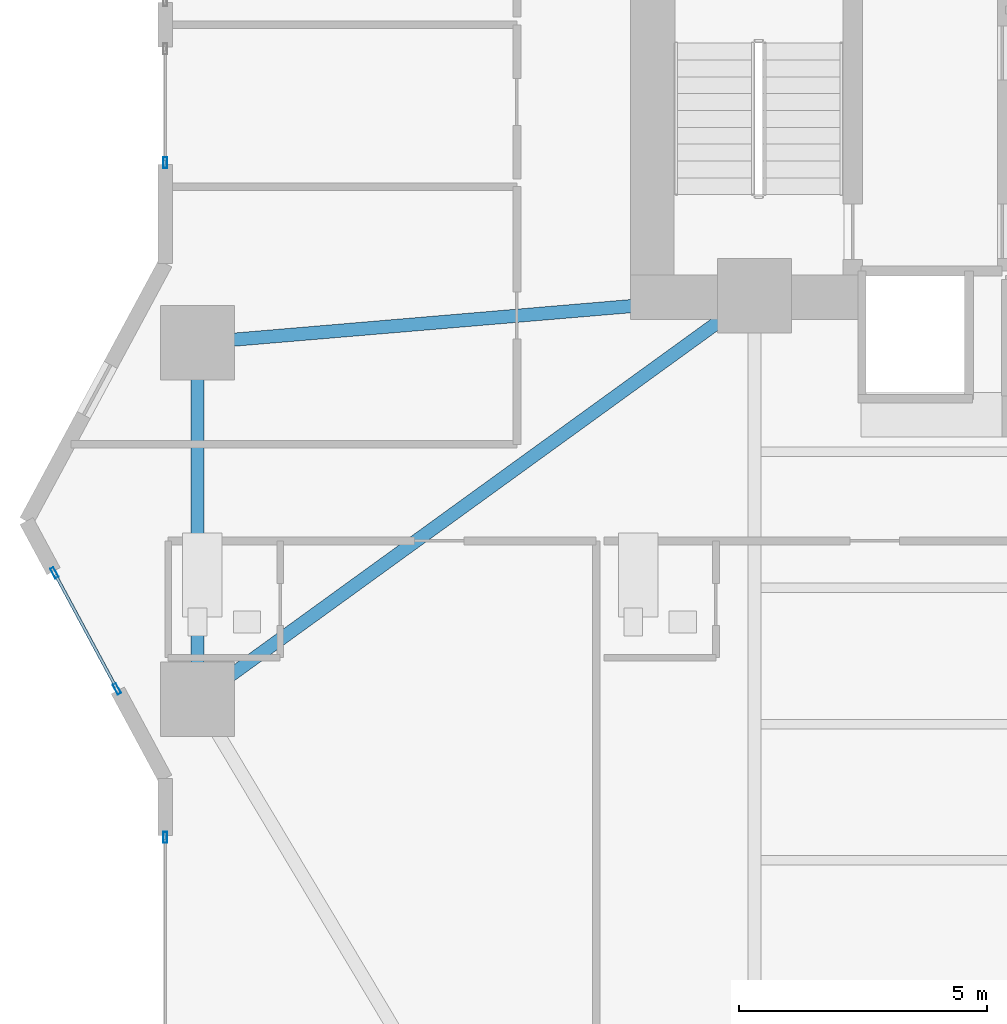
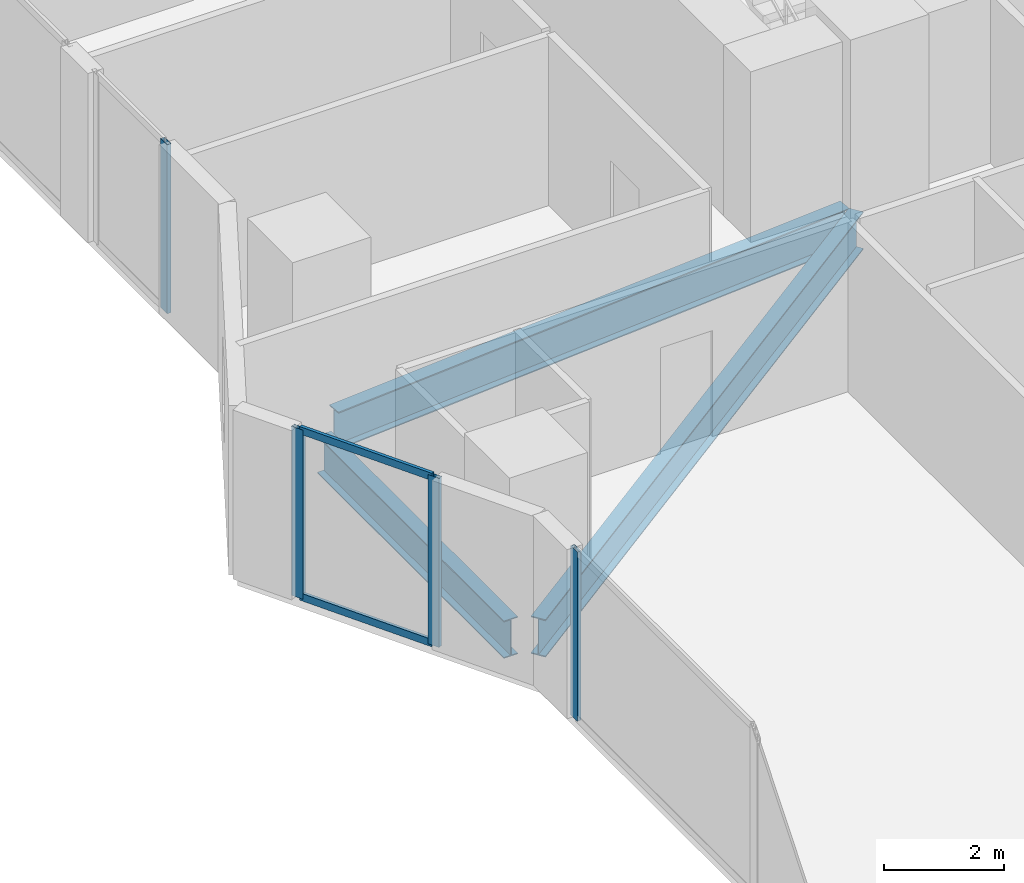
# One storey, part 6 of 29: 6 members, 3 beams, 3 elements without a shape of their own.
"""IFC4 building model written with IfcOpenShell, lengths in metres."""

from ifc_helpers import new_model, si_unit, direction, frame, origin, origin_2d, place, context, subcontext, project, spatial, hollow_rectangle, i_section, extrude, material, layer, layer_set, material_profile, profile_set, type_object, element, aggregate, save


model = new_model("IFC4")

# Units and contexts
model_context = context("Model", 3, precision=1e-05, world=origin(), true_north=direction((0.0, 1.0)))
body_context = subcontext(model_context, "Body", "Model", "MODEL_VIEW")
ifc_project = project(units=[si_unit("LENGTHUNIT", "METRE"), si_unit("AREAUNIT", "SQUARE_METRE"), si_unit("VOLUMEUNIT", "CUBIC_METRE"), si_unit("PLANEANGLEUNIT", "RADIAN"), si_unit("MASSUNIT", "GRAM", prefix="KILO")], contexts=[model_context])

# Site, building, storey
site_placement = place(None, origin())
site = spatial("IfcSite", under=ifc_project, at=site_placement, CompositionType="ELEMENT")
building_placement = place(site_placement, origin())
building = spatial("IfcBuilding", under=site, at=building_placement, Name="Zuhayl Quay Hotel", CompositionType="ELEMENT")
storey_placement = place(building_placement, frame((0.0, 0.0, 45.85009765625)))
storey = spatial("IfcBuildingStorey", under=building, at=storey_placement, Name="L10", CompositionType="ELEMENT", Elevation=45.85009765625)

# Beams
ifc_material_1 = material(Name="Steel ASTM A992 Grade 50", Category="steel")
ifc_material_profile_1 = material_profile(ifc_material_1, i_section(OverallWidth=0.26708984375, OverallDepth=0.761962890625, WebThickness=0.014404296875, FlangeThickness=0.021484375, at=origin_2d()), Name="W30X116")
ifc_profile_set_1 = profile_set([ifc_material_profile_1], Name="Steel ASTM A992 Grade 50")
beam_type = type_object("IfcBeamType", Name="BM_B1_W30X116", PredefinedType="BEAM", material=ifc_profile_set_1)
beam_1_placement = place(storey_placement, frame((-25.050048828125, 3.10009765625, -0.60107421875), z_axis=(0.0, -1.0, 0.0), x_axis=(1.0, 0.0, 0.0)))
element("IfcBeam", 1, at=beam_1_placement, inside=storey, type_object=beam_type, Name="L10 Floor Beam RG_L10_11", PredefinedType="BEAM", context=body_context, shape_type="SweptSolid", body=[
    extrude(i_section(OverallWidth=0.26708984375, OverallDepth=0.761962890625, WebThickness=0.014404296875, FlangeThickness=0.021484375, at=origin_2d()), origin(), (0.0, 0.0, 1.0), 6.2001953125),
])
beam_2_placement = place(storey_placement, frame((-24.64501953125, -3.306640625, -0.60107421875), z_axis=(0.809830244688, 0.586664277751, 0.0), x_axis=(-0.586664277751, 0.809830244688, 0.0)))
element("IfcBeam", 2, at=beam_2_placement, inside=storey, type_object=beam_type, Name="L10 Floor Beam FG_W_L10_1", PredefinedType="BEAM", context=body_context, shape_type="SweptSolid", body=[
    extrude(i_section(OverallWidth=0.26708984375, OverallDepth=0.761962890625, WebThickness=0.014404296875, FlangeThickness=0.021484375, at=origin_2d()), origin(), (0.0, 0.0, 1.0), 12.94189453125),
])
beam_3_placement = place(storey_placement, frame((-24.5517578125, 3.64208984375, -0.60107421875), z_axis=(0.996453145398, 0.084149444594, 0.0), x_axis=(-0.084149444594, 0.996453145398, 0.0)))
element("IfcBeam", 3, at=beam_3_placement, inside=storey, type_object=beam_type, Name="L10 Floor Beam FG_W_L10_2", PredefinedType="BEAM", context=body_context, shape_type="SweptSolid", body=[
    extrude(i_section(OverallWidth=0.26708984375, OverallDepth=0.761962890625, WebThickness=0.014404296875, FlangeThickness=0.021484375, at=origin_2d()), origin(), (0.0, 0.0, 1.0), 10.340087890625),
])

# Curtain wall, member
ifc_material_2 = material(Name="Anodised Aluminium 6063-T6", Category="aluminium")
ifc_layer = layer(ifc_material_2, 0.18994140625, Name="Anodised Aluminium 6063-T6", Category="aluminium")
ifc_layer_set = layer_set([ifc_layer], Name="Anodised Aluminium 6063-T6")
curtain_wall_type = type_object("IfcCurtainWallType", Name="CW_SYS_Z1", PredefinedType="USERDEFINED", material=ifc_layer_set)
curtain_wall_1_placement = place(storey_placement, origin())
curtain_wall_1 = element("IfcCurtainWall", 4, at=curtain_wall_1_placement, inside=storey, type_object=curtain_wall_type, Name="L10 Curtain Wall ENV_L10_E02_CW1", ObjectType="UNITISED CURTAIN WALL", PredefinedType="USERDEFINED")
ifc_material_3 = material(Name="Black-anodised aluminium 6063-T6", Category="aluminium")
ifc_material_profile_2 = material_profile(ifc_material_3, hollow_rectangle(XDim=0.074951171875, YDim=0.219970703125, WallThickness=0.00390625, at=origin_2d()), Name="ALU220X75")
ifc_profile_set_2 = profile_set([ifc_material_profile_2], Name="Black-anodised aluminium 6063-T6")
member_type_1 = type_object("IfcMemberType", Name="MB_CW_MUL_220", PredefinedType="MULLION", material=ifc_profile_set_2)
member_1_placement = place(storey_placement, frame((-25.699951171875, -6.387451171875, 0.0), z_axis=(0.0, 0.0, 1.0), x_axis=(-1.0, 0.0, 0.0)))
member_1 = element("IfcMember", 5, at=member_1_placement, type_object=member_type_1, Name="CW-Z1 mullion 3", PredefinedType="MULLION", context=body_context, shape_type="SweptSolid", body=[
    extrude(hollow_rectangle(XDim=0.074951171875, YDim=0.219970703125, WallThickness=0.00390625, at=origin_2d()), origin(), (0.0, 0.0, 1.0), 3.429931640625),
])
aggregate(curtain_wall_1, [member_1])

# Curtain wall, members
curtain_wall_2_placement = place(storey_placement, origin())
curtain_wall_2 = element("IfcCurtainWall", 6, at=curtain_wall_2_placement, inside=storey, type_object=curtain_wall_type, Name="L10 Curtain Wall ENV_L10_E03_CW1", ObjectType="UNITISED CURTAIN WALL", PredefinedType="USERDEFINED")
member_2_placement = place(storey_placement, frame((-26.67578125, -3.387939453125, 0.0), z_axis=(0.0, 0.0, 1.0), x_axis=(-0.880475795468, -0.474091102632, 0.0)))
member_2 = element("IfcMember", 7, at=member_2_placement, type_object=member_type_1, Name="CW-Z1 mullion 1", PredefinedType="MULLION", context=body_context, shape_type="SweptSolid", body=[
    extrude(hollow_rectangle(XDim=0.074951171875, YDim=0.219970703125, WallThickness=0.00390625, at=origin_2d()), origin(), (0.0, 0.0, 1.0), 3.429931640625),
])
member_3_placement = place(storey_placement, frame((-27.93701171875, -1.04541015625, 0.0), z_axis=(0.0, 0.0, 1.0), x_axis=(-0.880475795468, -0.474091102632, 0.0)))
member_3 = element("IfcMember", 8, at=member_3_placement, type_object=member_type_1, Name="CW-Z1 mullion 2", PredefinedType="MULLION", context=body_context, shape_type="SweptSolid", body=[
    extrude(hollow_rectangle(XDim=0.074951171875, YDim=0.219970703125, WallThickness=0.00390625, at=origin_2d()), origin(), (0.0, 0.0, 1.0), 3.429931640625),
])

# Curtain wall, member
curtain_wall_3_placement = place(storey_placement, origin())
curtain_wall_3 = element("IfcCurtainWall", 9, at=curtain_wall_3_placement, inside=storey, type_object=curtain_wall_type, Name="L10 Curtain Wall ENV_L10_E05_CW1", ObjectType="UNITISED CURTAIN WALL", PredefinedType="USERDEFINED")
member_4_placement = place(storey_placement, frame((-25.699951171875, 7.237548828125, 0.0), z_axis=(0.0, 0.0, 1.0), x_axis=(-1.0, 0.0, 0.0)))
member_4 = element("IfcMember", 10, at=member_4_placement, type_object=member_type_1, Name="CW-Z1 mullion 1", PredefinedType="MULLION", context=body_context, shape_type="SweptSolid", body=[
    extrude(hollow_rectangle(XDim=0.074951171875, YDim=0.219970703125, WallThickness=0.00390625, at=origin_2d()), origin(), (0.0, 0.0, 1.0), 3.429931640625),
])
aggregate(curtain_wall_3, [member_4])

# Member
ifc_material_profile_3 = material_profile(ifc_material_3, hollow_rectangle(XDim=0.06005859375, YDim=0.14990234375, WallThickness=0.00341796875, at=origin_2d()), Name="ALU150X60")
ifc_profile_set_3 = profile_set([ifc_material_profile_3], Name="Black-anodised aluminium 6063-T6")
member_type_2 = type_object("IfcMemberType", Name="MB_CW_TRN_150", PredefinedType="USERDEFINED", material=ifc_profile_set_3)
member_5_placement = place(storey_placement, frame((-26.693603515625, -3.35498046875, 0.02978515625), z_axis=(-0.474054771703, 0.880495356845, 0.0), x_axis=(-0.880495356845, -0.474054771703, 0.0)))
member_5 = element("IfcMember", 11, at=member_5_placement, type_object=member_type_2, Name="CW-Z1 transom 1.1", ObjectType="TRANSOM", PredefinedType="USERDEFINED", context=body_context, shape_type="SweptSolid", body=[
    extrude(hollow_rectangle(XDim=0.06005859375, YDim=0.14990234375, WallThickness=0.00341796875, at=origin_2d()), origin(), (0.0, 0.0, 1.0), 2.585205078125),
])

member_6_placement = place(storey_placement, frame((-26.693603515625, -3.35498046875, 3.39990234375), z_axis=(-0.474054771703, 0.880495356845, 0.0), x_axis=(-0.880495356845, -0.474054771703, 0.0)))
member_6 = element("IfcMember", 12, at=member_6_placement, type_object=member_type_2, Name="CW-Z1 transom 1.2", ObjectType="TRANSOM", PredefinedType="USERDEFINED", context=body_context, shape_type="SweptSolid", body=[
    extrude(hollow_rectangle(XDim=0.06005859375, YDim=0.14990234375, WallThickness=0.00341796875, at=origin_2d()), origin(), (0.0, 0.0, 1.0), 2.585205078125),
])

aggregate(curtain_wall_2, [member_2, member_3, member_5, member_6])

save(model, "model.ifc")
